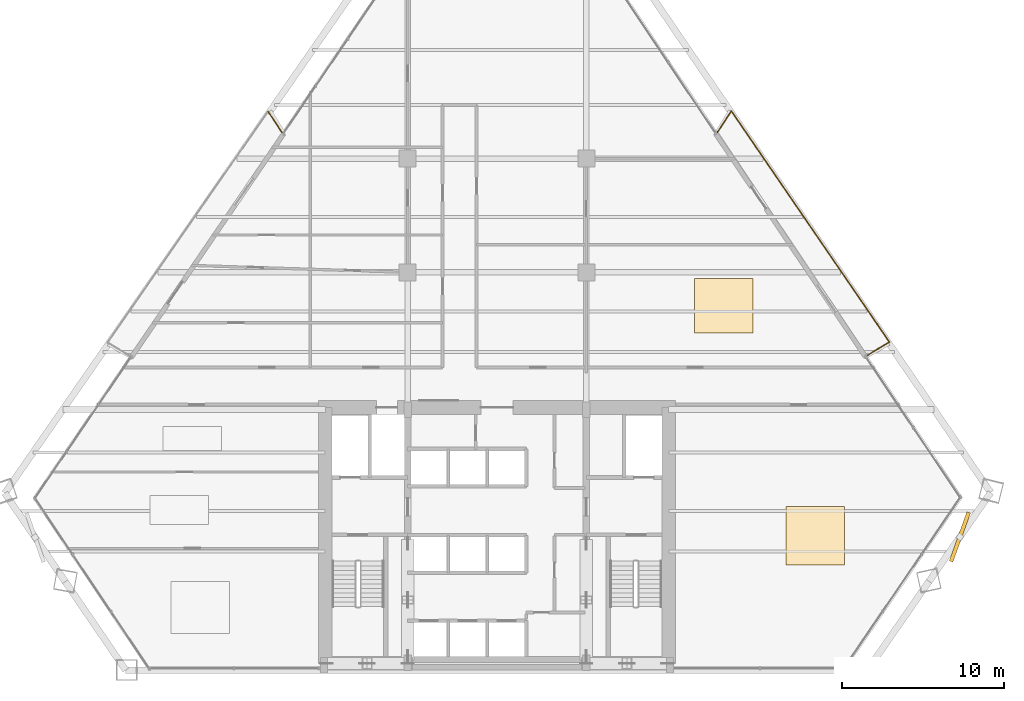
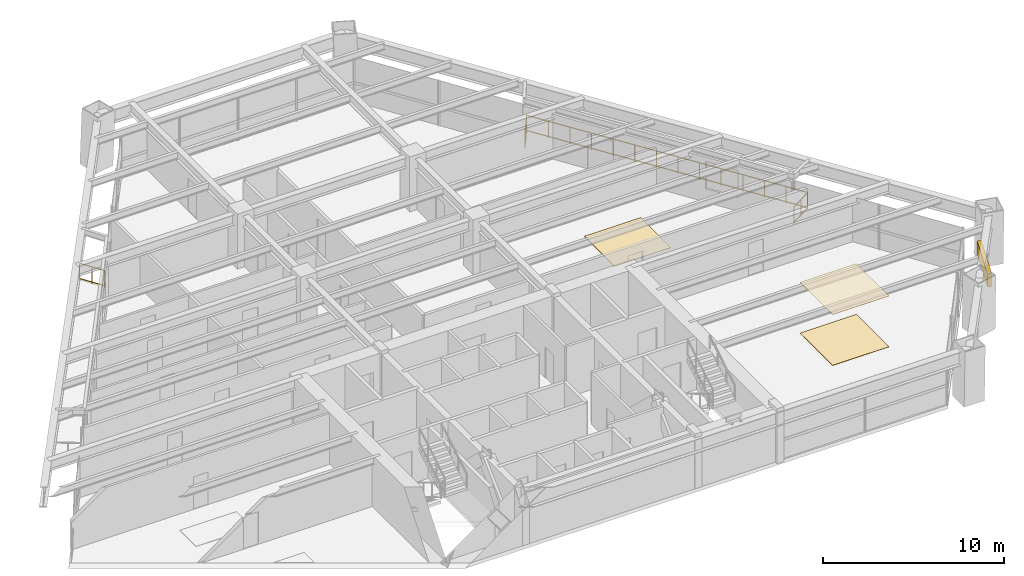
# One storey, part 14 of 14: 4 railings, 3 coverings, 1 shading device.
"""IFC4 building model written with IfcOpenShell, lengths in metres."""

import ifcopenshell
import ifcopenshell.guid

model = None  # the IFC model being written
_history = None  # IfcOwnerHistory: only IFC2X3 demands one
_inside = {}  # id of a spatial element -> (the spatial element, [elements in it])
_under = {}  # id of a project, library or spatial element -> (it, [spatial elements below it])
_declared = {}  # id of a project -> (the project, [libraries it declares])
_typed = {}  # id of a type object -> (the type object, [elements of that type])
_made_of = {}  # id of a material, layer set ... -> (it, [elements and type objects made of it])


def new_model(schema):
    """Start an empty IFC model of exactly this schema.

    Asked for "IFC4X3", IfcOpenShell would pick the latest addendum, in which some entities
    have other attributes; the version numbers below select the first issue.
    IFC2X3 requires an IfcOwnerHistory on every rooted entity: one is made here for all.
    """
    global model, _history
    if schema == "IFC4X3":
        model = ifcopenshell.file(schema_version=(4, 3, 0, 0))
    else:
        model = ifcopenshell.file(schema=schema)
    _inside.clear()
    _under.clear()
    _declared.clear()
    _typed.clear()
    _made_of.clear()
    _history = None
    if model.schema == "IFC2X3":
        org = make("IfcOrganization", Name="unknown")
        user = make(
            "IfcPersonAndOrganization",
            ThePerson=make("IfcPerson", FamilyName="unknown"),
            TheOrganization=org,
        )
        app = make(
            "IfcApplication",
            ApplicationDeveloper=org,
            Version="unknown",
            ApplicationFullName="unknown",
            ApplicationIdentifier="unknown",
        )
        _history = make(
            "IfcOwnerHistory",
            OwningUser=user,
            OwningApplication=app,
            ChangeAction="ADDED",
            CreationDate=0,
        )
    return model


def make(cls, **values):
    """One entity of the class cls with the attributes given. An attribute that is None is left unset."""
    return model.create_entity(
        cls, **{name: value for name, value in values.items() if value is not None}
    )


def rooted(cls, **values):
    """An entity with a GlobalId (a new one), such as an element, a storey or a relation."""
    return make(cls, GlobalId=ifcopenshell.guid.new(), OwnerHistory=_history, **values)


def si_unit(unit_type, name, prefix=None):
    """IfcSIUnit, for example si_unit("LENGTHUNIT", "METRE", prefix="MILLI")."""
    return make("IfcSIUnit", UnitType=unit_type, Prefix=prefix, Name=name)


def assignment(units):
    """IfcUnitAssignment: the units of a project."""
    return None if units is None else make("IfcUnitAssignment", Units=units)


def point(xyz):
    """IfcCartesianPoint."""
    return None if xyz is None else make("IfcCartesianPoint", Coordinates=xyz)


def direction(xyz):
    """IfcDirection."""
    return None if xyz is None else make("IfcDirection", DirectionRatios=xyz)


def frame(location, z_axis=None, x_axis=None):
    """IfcAxis2Placement3D, a coordinate frame: its origin and axes. An axis left out is left unset."""
    return make(
        "IfcAxis2Placement3D",
        Location=point(location),
        Axis=direction(z_axis),
        RefDirection=direction(x_axis),
    )


def frame_2d(location, x_axis=None):
    """IfcAxis2Placement2D, a coordinate frame in the plane: its origin and x axis."""
    return make(
        "IfcAxis2Placement2D", Location=point(location), RefDirection=direction(x_axis)
    )


def origin():
    """The frame at (0, 0, 0) with its axes left unset."""
    return frame((0.0, 0.0, 0.0))


def origin_2d():
    """The frame at (0, 0) in the plane with its x axis left unset."""
    return frame_2d((0.0, 0.0))


def place(relative_to, where):
    """IfcLocalPlacement: puts the frame where relative to a parent placement (None: the world)."""
    return make(
        "IfcLocalPlacement", PlacementRelTo=relative_to, RelativePlacement=where
    )


def context(
    kind, dimensions, precision=None, world=None, true_north=None, identifier=None
):
    """IfcGeometricRepresentationContext, for example the 3D "Model" context."""
    return make(
        "IfcGeometricRepresentationContext",
        ContextIdentifier=identifier,
        ContextType=kind,
        CoordinateSpaceDimension=dimensions,
        Precision=precision,
        WorldCoordinateSystem=world,
        TrueNorth=true_north,
    )


def subcontext(parent, identifier, kind, view, scale=None):
    """IfcGeometricRepresentationSubContext, for example "Body" below "Model"."""
    return make(
        "IfcGeometricRepresentationSubContext",
        ContextIdentifier=identifier,
        ContextType=kind,
        ParentContext=parent,
        TargetScale=scale,
        TargetView=view,
    )


def project(units=None, contexts=None):
    """IfcProject with its units and contexts."""
    return rooted(
        "IfcProject",
        Name="project",
        RepresentationContexts=contexts,
        UnitsInContext=assignment(units),
    )


def spatial(cls, under=None, at=None, **own):
    """A site, building, storey or space (cls), placed at a placement, below another one or the project."""
    s = rooted(cls, ObjectPlacement=at, **own)
    if under is not None:
        _under.setdefault(under.id(), (under, []))[1].append(s)
    return s


def profile(cls, at=None, kind="AREA", **sizes):
    """A parametric profile (cls). Its sizes go by their IFC names, for example OverallWidth=200.0."""
    return make(cls, ProfileType=kind, Position=at, **sizes)


def rectangle(**sizes):
    """IfcRectangleProfileDef."""
    return profile("IfcRectangleProfileDef", **sizes)


def extrude(swept, where, along, depth):
    """IfcExtrudedAreaSolid: the profile swept, set in the frame where, extruded along a direction by depth."""
    return make(
        "IfcExtrudedAreaSolid",
        SweptArea=swept,
        Position=where,
        ExtrudedDirection=direction(along),
        Depth=depth,
    )


def shape(context_of_items, identifier, shape_type, items):
    """IfcShapeRepresentation: the items that make up one representation, for example the "Body"."""
    return make(
        "IfcShapeRepresentation",
        ContextOfItems=context_of_items,
        RepresentationIdentifier=identifier,
        RepresentationType=shape_type,
        Items=items,
    )


def source(mapping_origin, context_of_items, identifier, shape_type, items):
    """IfcRepresentationMap: a shape defined once, which mapped items show again and again."""
    return make(
        "IfcRepresentationMap",
        MappingOrigin=mapping_origin,
        MappedRepresentation=shape(context_of_items, identifier, shape_type, items),
    )


def transform(
    local_origin,
    x_axis=None,
    y_axis=None,
    z_axis=None,
    scale=None,
    scale2=None,
    scale3=None,
    uniform=True,
):
    """IfcCartesianTransformationOperator3D, or its non-uniform kind. x_axis, y_axis, z_axis: its Axis1, 2, 3."""
    if uniform:
        return make(
            "IfcCartesianTransformationOperator3D",
            Axis1=direction(x_axis),
            Axis2=direction(y_axis),
            LocalOrigin=point(local_origin),
            Scale=scale,
            Axis3=direction(z_axis),
        )
    return make(
        "IfcCartesianTransformationOperator3DnonUniform",
        Axis1=direction(x_axis),
        Axis2=direction(y_axis),
        LocalOrigin=point(local_origin),
        Scale=scale,
        Axis3=direction(z_axis),
        Scale2=scale2,
        Scale3=scale3,
    )


def mapped(mapping_source, mapping_target):
    """IfcMappedItem: shows the shape of a source again, moved by a transform."""
    return make(
        "IfcMappedItem", MappingSource=mapping_source, MappingTarget=mapping_target
    )


def material(Name=None, Category=None):
    """IfcMaterial."""
    return make("IfcMaterial", Name=Name, Category=Category)


def layer(
    of_material, thickness, ventilated=None, Name=None, Category=None, Priority=None
):
    """IfcMaterialLayer: one layer of a wall or slab, of a material (None: an air gap)."""
    return make(
        "IfcMaterialLayer",
        Material=of_material,
        LayerThickness=thickness,
        IsVentilated=ventilated,
        Name=Name,
        Category=Category,
        Priority=Priority,
    )


def layer_set(layers, Name=None):
    """IfcMaterialLayerSet."""
    return make("IfcMaterialLayerSet", MaterialLayers=layers, LayerSetName=Name)


def made_of(thing, what):
    """Note that an element or type object is made of a material, layer set ...; save() writes the relation."""
    if what is not None:
        _made_of.setdefault(what.id(), (what, []))[1].append(thing)
    return thing


def type_object(cls, material=None, **own):
    """A type object (cls), such as IfcWallType, which elements share."""
    return made_of(rooted(cls, **own), material)


def type_shapes(of_type, sources):
    """Give a type object the sources (RepresentationMaps) that its elements show as mapped items."""
    of_type.RepresentationMaps = sources


def element(
    cls,
    number,
    at=None,
    inside=None,
    cuts=None,
    type_object=None,
    material=None,
    context=None,
    identifier="Body",
    shape_type=None,
    held_by="IfcProductDefinitionShape",
    body=None,
    shapes=None,
    **own,
):
    """One element of the class cls, such as IfcWall. Its Tag is "e" and its number.

    at: its placement. inside: the storey or other place that contains it. cuts: it is an
    opening in that element (IfcRelVoidsElement). A single representation is given by context,
    identifier, shape_type and body (its items); several are given by shapes. held_by: the class
    of the entity that holds the representations. save() writes the other relations.
    """
    e = rooted(cls, Tag="e%d" % number, ObjectPlacement=at, **own)
    if body is not None:
        shapes = [shape(context, identifier, shape_type, body)]
    if shapes is not None:
        e.Representation = make(held_by, Representations=shapes)
    if inside is not None:
        _inside.setdefault(inside.id(), (inside, []))[1].append(e)
    if cuts is not None:
        rooted(
            "IfcRelVoidsElement", RelatingBuildingElement=cuts, RelatedOpeningElement=e
        )
    if type_object is not None:
        _typed.setdefault(type_object.id(), (type_object, []))[1].append(e)
    return made_of(e, material)


def aggregate(whole, parts):
    """IfcRelAggregates: a whole, such as a stair, and the parts it consists of."""
    return rooted("IfcRelAggregates", RelatingObject=whole, RelatedObjects=parts)


def save(model, path):
    """Write the relations noted so far, then the file.

    IfcRelAggregates (storeys below a building ...), IfcRelContainedInSpatialStructure (elements
    in a storey), IfcRelDefinesByType, IfcRelAssociatesMaterial and IfcRelDeclares: one each for
    every whole, place, type object, material and project.
    """
    for whole, parts in _under.values():
        aggregate(whole, parts)
    for where, things in _inside.values():
        rooted(
            "IfcRelContainedInSpatialStructure",
            RelatedElements=things,
            RelatingStructure=where,
        )
    for kind, things in _typed.values():
        rooted("IfcRelDefinesByType", RelatedObjects=things, RelatingType=kind)
    for what, things in _made_of.values():
        rooted("IfcRelAssociatesMaterial", RelatedObjects=things, RelatingMaterial=what)
    for by, libraries in _declared.values():
        rooted("IfcRelDeclares", RelatingContext=by, RelatedDefinitions=libraries)
    model.write(path)


model = new_model("IFC4")

# Units and contexts
model_context = context("Model", 3, precision=1e-05, world=origin(), true_north=direction((0.0, 1.0)))
body_context = subcontext(model_context, "Body", "Model", "MODEL_VIEW")
ifc_project = project(units=[si_unit("LENGTHUNIT", "METRE"), si_unit("AREAUNIT", "SQUARE_METRE"), si_unit("VOLUMEUNIT", "CUBIC_METRE"), si_unit("PLANEANGLEUNIT", "RADIAN"), si_unit("MASSUNIT", "GRAM", prefix="KILO")], contexts=[model_context])

# Site, building, storey
site_placement = place(None, origin())
site = spatial("IfcSite", under=ifc_project, at=site_placement, CompositionType="ELEMENT")
building_placement = place(site_placement, origin())
building = spatial("IfcBuilding", under=site, at=building_placement, Name="Varnakhor Terracotta Tower", CompositionType="ELEMENT")
storey_placement = place(building_placement, frame((0.0, 0.0, 46.0)))
storey = spatial("IfcBuildingStorey", under=building, at=storey_placement, Name="L10", CompositionType="ELEMENT", Elevation=46.0)

# Railings
ifc_material_1 = material(Name="Stainless Steel & Laminated Glass Guardrail", Category="steel")
railing_type = type_object("IfcRailingType", Name="RLG-LOGGIA-GUARD-1150", PredefinedType="GUARDRAIL", material=ifc_material_1)
railing_1_placement = place(storey_placement, frame((13.5771484375, 33.131591796875, 0.0)))
element("IfcRailing", 1, at=railing_1_placement, inside=storey, type_object=railing_type, Name="L10 E Loggia Glass Guard 1", PredefinedType="GUARDRAIL", context=body_context, shape_type="SweptSolid", body=[
    extrude(rectangle(XDim=0.048095703125, YDim=0.048095703125, at=origin_2d()), frame((0.0, 0.0, 1.1259765625), z_axis=(0.550875145642, 0.834587667003, 0.0), x_axis=(-0.834587667003, 0.550875145642, 0.0)), (0.0, 0.0, 1.0), 1.548828125),
    extrude(rectangle(XDim=0.048095703125, YDim=0.048095703125, at=origin_2d()), frame((0.0, 0.0, 0.10009765625), z_axis=(0.550875145642, 0.834587667003, 0.0), x_axis=(-0.834587667003, 0.550875145642, 0.0)), (0.0, 0.0, 1.0), 1.548828125),
    extrude(rectangle(XDim=0.0419921875, YDim=0.0419921875, at=origin_2d()), origin(), (0.0, 0.0, 1.0), 1.101806640625),
    extrude(rectangle(XDim=0.0419921875, YDim=0.0419921875, at=origin_2d()), frame((0.4267578125, 0.646484375, 0.0)), (0.0, 0.0, 1.0), 1.101806640625),
    extrude(rectangle(XDim=0.0419921875, YDim=0.0419921875, at=origin_2d()), frame((0.853271484375, 1.292724609375, 0.0)), (0.0, 0.0, 1.0), 1.101806640625),
])
railing_2_placement = place(storey_placement, frame((14.430419921875, 34.42431640625, 0.0)))
element("IfcRailing", 2, at=railing_2_placement, inside=storey, type_object=railing_type, Name="L10 E Loggia Glass Guard 2", PredefinedType="GUARDRAIL", context=body_context, shape_type="SweptSolid", body=[
    extrude(rectangle(XDim=0.048095703125, YDim=0.048095703125, at=origin_2d()), frame((0.0, 0.0, 1.1259765625), z_axis=(0.565088873523, -0.825030038859, 0.0), x_axis=(0.825030038859, 0.565088873523, 0.0)), (0.0, 0.0, 1.0), 17.222412109375),
    extrude(rectangle(XDim=0.048095703125, YDim=0.048095703125, at=origin_2d()), frame((0.0, 0.0, 0.10009765625), z_axis=(0.565088873523, -0.825030038859, 0.0), x_axis=(0.825030038859, 0.565088873523, 0.0)), (0.0, 0.0, 1.0), 17.222412109375),
    extrude(rectangle(XDim=0.0419921875, YDim=0.0419921875, at=origin_2d()), origin(), (0.0, 0.0, 1.0), 1.101806640625),
    extrude(rectangle(XDim=0.0419921875, YDim=0.0419921875, at=origin_2d()), frame((0.74853515625, -1.093017578125, 0.0)), (0.0, 0.0, 1.0), 1.101806640625),
    extrude(rectangle(XDim=0.0419921875, YDim=0.0419921875, at=origin_2d()), frame((1.497314453125, -2.18603515625, 0.0)), (0.0, 0.0, 1.0), 1.101806640625),
    extrude(rectangle(XDim=0.0419921875, YDim=0.0419921875, at=origin_2d()), frame((2.245849609375, -3.279052734375, 0.0)), (0.0, 0.0, 1.0), 1.101806640625),
    extrude(rectangle(XDim=0.0419921875, YDim=0.0419921875, at=origin_2d()), frame((2.99462890625, -4.3720703125, 0.0)), (0.0, 0.0, 1.0), 1.101806640625),
    extrude(rectangle(XDim=0.0419921875, YDim=0.0419921875, at=origin_2d()), frame((3.7431640625, -5.465087890625, 0.0)), (0.0, 0.0, 1.0), 1.101806640625),
    extrude(rectangle(XDim=0.0419921875, YDim=0.0419921875, at=origin_2d()), frame((4.49169921875, -6.55810546875, 0.0)), (0.0, 0.0, 1.0), 1.101806640625),
    extrude(rectangle(XDim=0.0419921875, YDim=0.0419921875, at=origin_2d()), frame((5.240478515625, -7.65087890625, 0.0)), (0.0, 0.0, 1.0), 1.101806640625),
    extrude(rectangle(XDim=0.0419921875, YDim=0.0419921875, at=origin_2d()), frame((5.989013671875, -8.743896484375, 0.0)), (0.0, 0.0, 1.0), 1.101806640625),
    extrude(rectangle(XDim=0.0419921875, YDim=0.0419921875, at=origin_2d()), frame((6.737548828125, -9.8369140625, 0.0)), (0.0, 0.0, 1.0), 1.101806640625),
    extrude(rectangle(XDim=0.0419921875, YDim=0.0419921875, at=origin_2d()), frame((7.486328125, -10.929931640625, 0.0)), (0.0, 0.0, 1.0), 1.101806640625),
    extrude(rectangle(XDim=0.0419921875, YDim=0.0419921875, at=origin_2d()), frame((8.23486328125, -12.02294921875, 0.0)), (0.0, 0.0, 1.0), 1.101806640625),
    extrude(rectangle(XDim=0.0419921875, YDim=0.0419921875, at=origin_2d()), frame((8.983642578125, -13.115966796875, 0.0)), (0.0, 0.0, 1.0), 1.101806640625),
    extrude(rectangle(XDim=0.0419921875, YDim=0.0419921875, at=origin_2d()), frame((9.732177734375, -14.208984375, 0.0)), (0.0, 0.0, 1.0), 1.101806640625),
])
railing_3_placement = place(storey_placement, frame((24.16259765625, 20.21533203125, 0.0)))
element("IfcRailing", 3, at=railing_3_placement, inside=storey, type_object=railing_type, Name="L10 E Loggia Glass Guard 3", PredefinedType="GUARDRAIL", context=body_context, shape_type="SweptSolid", body=[
    extrude(rectangle(XDim=0.048095703125, YDim=0.048095703125, at=origin_2d()), frame((0.0, 0.0, 1.1259765625), z_axis=(-0.852184421923, -0.523241541768, 0.0), x_axis=(0.523241541768, -0.852184421923, 0.0)), (0.0, 0.0, 1.0), 1.592041015625),
    extrude(rectangle(XDim=0.048095703125, YDim=0.048095703125, at=origin_2d()), frame((0.0, 0.0, 0.10009765625), z_axis=(-0.852184421923, -0.523241541768, 0.0), x_axis=(0.523241541768, -0.852184421923, 0.0)), (0.0, 0.0, 1.0), 1.592041015625),
    extrude(rectangle(XDim=0.0419921875, YDim=0.0419921875, at=origin_2d()), origin(), (0.0, 0.0, 1.0), 1.101806640625),
    extrude(rectangle(XDim=0.0419921875, YDim=0.0419921875, at=origin_2d()), frame((-0.67822265625, -0.41650390625, 0.0)), (0.0, 0.0, 1.0), 1.101806640625),
    extrude(rectangle(XDim=0.0419921875, YDim=0.0419921875, at=origin_2d()), frame((-1.356689453125, -0.8330078125, 0.0)), (0.0, 0.0, 1.0), 1.101806640625),
])
railing_4_placement = place(storey_placement, frame((-14.101806640625, 34.414794921875, 0.0)))
element("IfcRailing", 4, at=railing_4_placement, inside=storey, type_object=railing_type, Name="L10 W Loggia Glass Guard 3", PredefinedType="GUARDRAIL", context=body_context, shape_type="SweptSolid", body=[
    extrude(rectangle(XDim=0.048095703125, YDim=0.048095703125, at=origin_2d()), frame((0.0, 0.0, 1.1259765625), z_axis=(0.551204377218, -0.834370262255, 0.0), x_axis=(0.834370262255, 0.551204377218, 0.0)), (0.0, 0.0, 1.0), 1.54931640625),
    extrude(rectangle(XDim=0.048095703125, YDim=0.048095703125, at=origin_2d()), frame((0.0, 0.0, 0.10009765625), z_axis=(0.551204377218, -0.834370262255, 0.0), x_axis=(0.834370262255, 0.551204377218, 0.0)), (0.0, 0.0, 1.0), 1.54931640625),
    extrude(rectangle(XDim=0.0419921875, YDim=0.0419921875, at=origin_2d()), origin(), (0.0, 0.0, 1.0), 1.101806640625),
    extrude(rectangle(XDim=0.0419921875, YDim=0.0419921875, at=origin_2d()), frame((0.427001953125, -0.646484375, 0.0)), (0.0, 0.0, 1.0), 1.101806640625),
    extrude(rectangle(XDim=0.0419921875, YDim=0.0419921875, at=origin_2d()), frame((0.85400390625, -1.292724609375, 0.0)), (0.0, 0.0, 1.0), 1.101806640625),
])

# Shading device
ifc_material_2 = material(Name="Extruded Architectural Terracotta Screen", Category="masonry")
shading_device_type = type_object("IfcShadingDeviceType", Name="TERRACOTTA SOLAR SCREEN E", PredefinedType="USERDEFINED", material=ifc_material_2)
shared_shape_1 = source(origin(), body_context, "Body", "SweptSolid", [
    extrude(rectangle(XDim=3.199951171875, YDim=0.239990234375, at=origin_2d()), origin(), (0.0, 0.0, 1.0), 0.919921875),
])
type_shapes(shading_device_type, [shared_shape_1])
shading_device_placement = place(storey_placement, frame((28.507568359375, 8.205810546875, 1.617919921875), z_axis=(0.0, 0.0, 1.0), x_axis=(0.338393046688, 0.941004859686, 0.0)))
element("IfcShadingDevice", 5, at=shading_device_placement, inside=storey, type_object=shading_device_type, Name="L10 E Terracotta Solar Screen", ObjectType="SCREEN", PredefinedType="USERDEFINED", context=body_context, shape_type="MappedRepresentation", body=[
    mapped(shared_shape_1, transform((0.0, 0.0, 0.0), scale=1.0)),
])

# Coverings
ifc_material_3 = material(Name="Honed Riyadh Limestone Flooring", Category="masonry")
ifc_layer_1 = layer(ifc_material_3, 0.030029296875, Name="Honed Riyadh Limestone Flooring")
ifc_layer_set_1 = layer_set([ifc_layer_1], Name="Honed Riyadh Limestone Flooring")
covering_type_1 = type_object("IfcCoveringType", Name="COV-FLOOR-LIMESTONE", PredefinedType="FLOORING", material=ifc_layer_set_1)
shared_shape_2 = source(origin(), body_context, "Body", "SweptSolid", [
    extrude(rectangle(XDim=3.60009765625, YDim=3.60009765625, at=origin_2d()), origin(), (0.0, 0.0, 1.0), 0.02001953125),
])
covering_1_placement = place(storey_placement, frame((19.613037109375, 8.26611328125, 0.0), z_axis=(0.0, 0.0, 1.0), x_axis=(1.0, 0.0, 0.0)))
element("IfcCovering", 6, at=covering_1_placement, inside=storey, type_object=covering_type_1, Name="L10 Honed Stone Flooring 2", PredefinedType="FLOORING", context=body_context, shape_type="MappedRepresentation", body=[
    mapped(shared_shape_2, transform((0.0, 0.0, 0.0), scale=1.0)),
])
ifc_material_4 = material(Name="Perforated Acoustic Mineral-Fibre Ceiling", Category="gypsum")
ifc_layer_2 = layer(ifc_material_4, 0.02490234375, Name="Perforated Acoustic Mineral-Fibre Ceiling")
ifc_layer_set_2 = layer_set([ifc_layer_2], Name="Perforated Acoustic Mineral-Fibre Ceiling")
covering_type_2 = type_object("IfcCoveringType", Name="COV-CEILING-ACOUSTIC", PredefinedType="CEILING", material=ifc_layer_set_2)
shared_shape_3 = source(origin(), body_context, "Body", "SweptSolid", [
    extrude(rectangle(XDim=3.60009765625, YDim=3.60009765625, at=origin_2d()), origin(), (0.0, 0.0, 1.0), 0.02392578125),
])
covering_2_placement = place(storey_placement, frame((19.613037109375, 8.26611328125, 3.426025390625), z_axis=(0.0, 0.0, 1.0), x_axis=(1.0, 0.0, 0.0)))
element("IfcCovering", 7, at=covering_2_placement, inside=storey, type_object=covering_type_2, Name="L10 Acoustic Ceiling Panel 2", PredefinedType="CEILING", context=body_context, shape_type="MappedRepresentation", body=[
    mapped(shared_shape_3, transform((0.0, 0.0, 0.0), scale=1.0)),
])
shared_shape_4 = source(origin(), body_context, "Body", "SweptSolid", [
    extrude(rectangle(XDim=3.60009765625, YDim=3.342041015625, at=origin_2d()), origin(), (0.0, 0.0, 1.0), 0.02001953125),
])
covering_3_placement = place(storey_placement, frame((13.950927734375, 22.43603515625, 0.0), z_axis=(0.0, 0.0, 1.0), x_axis=(1.0, 0.0, 0.0)))
element("IfcCovering", 8, at=covering_3_placement, inside=storey, type_object=covering_type_1, Name="L10 Honed Stone Flooring 5", PredefinedType="FLOORING", context=body_context, shape_type="MappedRepresentation", body=[
    mapped(shared_shape_4, transform((0.0, 0.0, 0.0), scale=1.0)),
])

save(model, "model.ifc")
